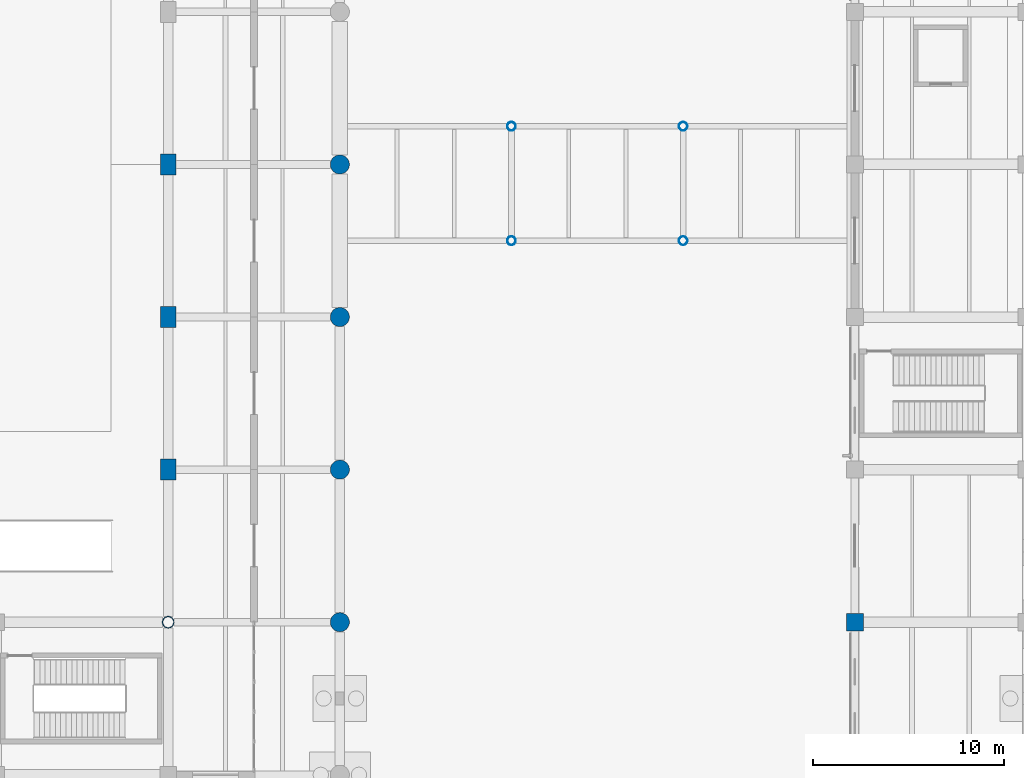
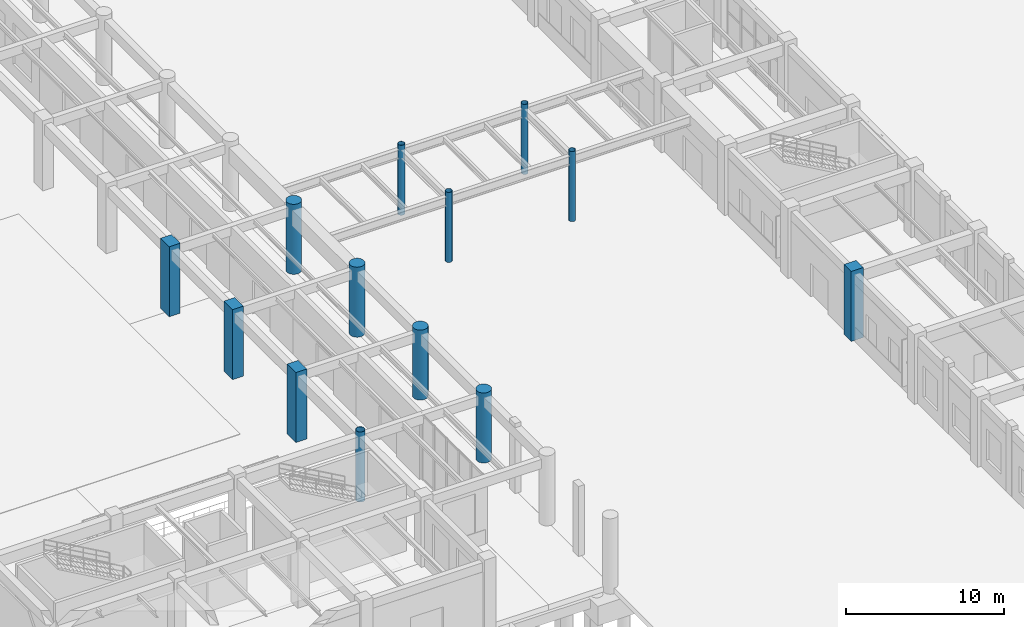
# One storey, part 10 of 121: 13 columns.
"""IFC4 building model written with IfcOpenShell, lengths in metres."""

from ifc_helpers import new_model, si_unit, derived_unit, direction, frame, origin, origin_2d, place, context, subcontext, project, spatial, rectangle, circle, hollow_circle, extrude, material, material_profile, profile_set, type_object, element, save


model = new_model("IFC4")

# Units and contexts
model_context = context("Model", 3, precision=1e-05, world=origin(), true_north=direction((0.0, 1.0)))
body_context = subcontext(model_context, "Body", "Model", "MODEL_VIEW")
ifc_project = project(units=[si_unit("LENGTHUNIT", "METRE"), si_unit("AREAUNIT", "SQUARE_METRE"), si_unit("VOLUMEUNIT", "CUBIC_METRE"), si_unit("PLANEANGLEUNIT", "RADIAN"), si_unit("MASSUNIT", "GRAM", prefix="KILO"), derived_unit("THERMALTRANSMITTANCEUNIT", [(si_unit("MASSUNIT", "GRAM", prefix="KILO"), 1), (si_unit("TIMEUNIT", "SECOND"), -3), (si_unit("THERMODYNAMICTEMPERATUREUNIT", "KELVIN"), -1)])], contexts=[model_context])

# Site, building, storey
site_placement = place(None, origin())
site = spatial("IfcSite", under=ifc_project, at=site_placement, CompositionType="ELEMENT")
building_placement = place(site_placement, origin())
building = spatial("IfcBuilding", under=site, at=building_placement, Name="Zhenchuan Archway Interchange", CompositionType="ELEMENT")
storey_placement = place(building_placement, origin())
storey = spatial("IfcBuildingStorey", under=building, at=storey_placement, Name="L00", CompositionType="ELEMENT", Elevation=0.0)

# Columns
ifc_material_1 = material(Name="Concrete C50", Category="concrete")
ifc_material_profile_1 = material_profile(ifc_material_1, rectangle(XDim=0.800048828125, YDim=1.10009765625, at=origin_2d()), Name="RC 800x1100")
ifc_profile_set_1 = profile_set([ifc_material_profile_1], Name="Concrete C50")
column_type_1 = type_object("IfcColumnType", Name="COL_RC_800x1100", PredefinedType="COLUMN", material=ifc_profile_set_1)
for number, where, z_axis, x_axis, name in (
    (1, (63.0, 40.0, 0.0), (0.0, 0.0, 1.0), (1.0, 0.0, 0.0), "Column 8/F (L00)"),
    (2, (63.0, 48.0, 0.0), (0.0, 0.0, 1.0), (1.0, 0.0, 0.0), "Column 8/G (L00)"),
    (3, (63.0, 56.0, 0.0), (0.0, 0.0, 1.0), (1.0, 0.0, 0.0), "Column 8/H (L00)"),
):
    element("IfcColumn", number, at=place(storey_placement, frame(where, z_axis=z_axis, x_axis=x_axis)), inside=storey, type_object=column_type_1, Name=name, PredefinedType="COLUMN", context=body_context, shape_type="SweptSolid", body=[
        extrude(rectangle(XDim=0.800048828125, YDim=1.10009765625, at=origin_2d()), origin(), (0.0, 0.0, 1.0), 5.39990234375),
    ])
ifc_material_profile_2 = material_profile(ifc_material_1, rectangle(XDim=0.89990234375, YDim=0.89990234375, at=origin_2d()), Name="RC 900x900")
ifc_profile_set_2 = profile_set([ifc_material_profile_2], Name="Concrete C50")
column_type_2 = type_object("IfcColumnType", Name="COL_RC_900_T", PredefinedType="COLUMN", material=ifc_profile_set_2)
column_1_placement = place(storey_placement, frame((99.0, 32.0, 0.0), z_axis=(0.0, 0.0, 1.0), x_axis=(1.0, 0.0, 0.0)))
element("IfcColumn", 4, at=column_1_placement, inside=storey, type_object=column_type_2, Name="Column 12/E (L00)", PredefinedType="COLUMN", context=body_context, shape_type="SweptSolid", body=[
    extrude(rectangle(XDim=0.89990234375, YDim=0.89990234375, at=origin_2d()), origin(), (0.0, 0.0, 1.0), 5.39990234375),
])
ifc_material_profile_3 = material_profile(ifc_material_1, circle(Radius=0.5, at=origin_2d()), Name="RC D1000")
ifc_profile_set_3 = profile_set([ifc_material_profile_3], Name="Concrete C50")
column_type_3 = type_object("IfcColumnType", Name="COL_RC_D1000", PredefinedType="COLUMN", material=ifc_profile_set_3)
for number, where, z_axis, x_axis, name in (
    (5, (72.0, 32.0, 0.0), (0.0, 0.0, 1.0), (1.0, 0.0, 0.0), "Column 9/E (L00)"),
    (6, (72.0, 40.0, 0.0), (0.0, 0.0, 1.0), (1.0, 0.0, 0.0), "Column 9/F (L00)"),
    (7, (72.0, 48.0, 0.0), (0.0, 0.0, 1.0), (1.0, 0.0, 0.0), "Column 9/G (L00)"),
    (8, (72.0, 56.0, 0.0), (0.0, 0.0, 1.0), (1.0, 0.0, 0.0), "Column 9/H (L00)"),
):
    element("IfcColumn", number, at=place(storey_placement, frame(where, z_axis=z_axis, x_axis=x_axis)), inside=storey, type_object=column_type_3, Name=name, PredefinedType="COLUMN", context=body_context, shape_type="SweptSolid", body=[
        extrude(circle(Radius=0.5, at=origin_2d()), origin(), (0.0, 0.0, 1.0), 5.39990234375),
    ])
ifc_material_2 = material(Name="Steel Q390", Category="steel")
ifc_material_profile_4 = material_profile(ifc_material_2, hollow_circle(Radius=0.228515625, WallThickness=0.01611328125, at=origin_2d()), Name="CHS 457x16")
ifc_profile_set_4 = profile_set([ifc_material_profile_4], Name="Steel Q390")
column_type_4 = type_object("IfcColumnType", Name="COL_STL_CHS457", PredefinedType="COLUMN", material=ifc_profile_set_4)
for number, where, z_axis, x_axis, name in (
    (9, (81.0, 52.0, 0.0), (0.0, 0.0, 1.0), (1.0, 0.0, 0.0), "Footbridge pier column M1S (L00)"),
    (10, (81.0, 58.0, 0.0), (0.0, 0.0, 1.0), (1.0, 0.0, 0.0), "Footbridge pier column M1N (L00)"),
    (11, (90.0, 52.0, 0.0), (0.0, 0.0, 1.0), (1.0, 0.0, 0.0), "Footbridge pier column M2S (L00)"),
    (12, (90.0, 58.0, 0.0), (0.0, 0.0, 1.0), (1.0, 0.0, 0.0), "Footbridge pier column M2N (L00)"),
):
    element("IfcColumn", number, at=place(storey_placement, frame(where, z_axis=z_axis, x_axis=x_axis)), inside=storey, type_object=column_type_4, Name=name, PredefinedType="COLUMN", context=body_context, shape_type="SweptSolid", body=[
        extrude(hollow_circle(Radius=0.228515625, WallThickness=0.01611328125, at=origin_2d()), origin(), (0.0, 0.0, 1.0), 5.39990234375),
    ])
ifc_material_profile_5 = material_profile(ifc_material_2, hollow_circle(Radius=0.304931640625, WallThickness=0.02001953125, at=origin_2d()), Name="CHS 610x20")
ifc_profile_set_5 = profile_set([ifc_material_profile_5], Name="Steel Q390")
column_type_5 = type_object("IfcColumnType", Name="COL_STL_CHS610", PredefinedType="COLUMN", material=ifc_profile_set_5)
column_2_placement = place(storey_placement, frame((63.0, 32.0, 0.0), z_axis=(0.0, 0.0, 1.0), x_axis=(1.0, 0.0, 0.0)))
element("IfcColumn", 13, at=column_2_placement, inside=storey, type_object=column_type_5, Name="Column 8/E (L00)", PredefinedType="COLUMN", context=body_context, shape_type="SweptSolid", body=[
    extrude(hollow_circle(Radius=0.304931640625, WallThickness=0.02001953125, at=origin_2d()), origin(), (0.0, 0.0, 1.0), 5.39990234375),
])

save(model, "model.ifc")
